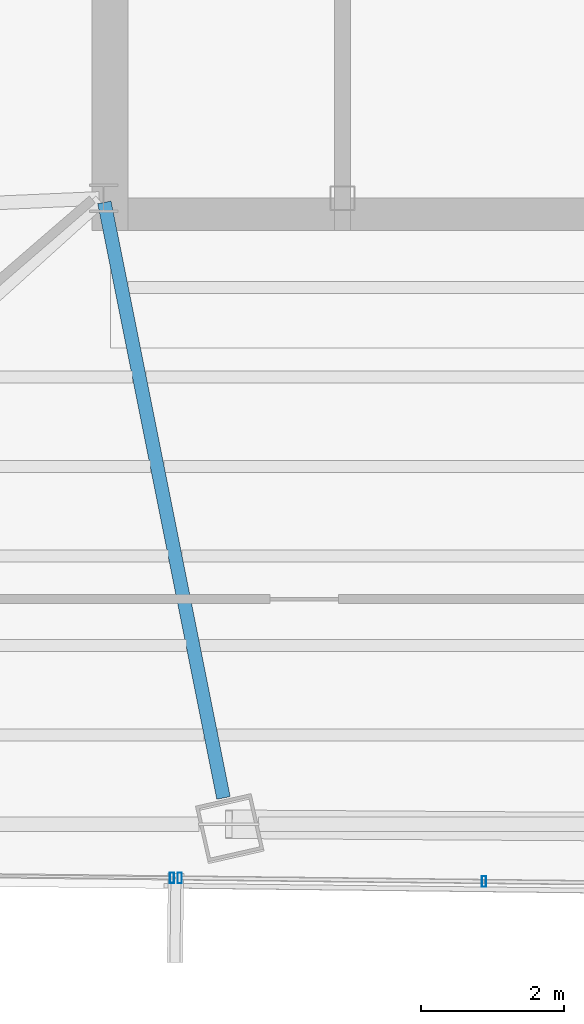
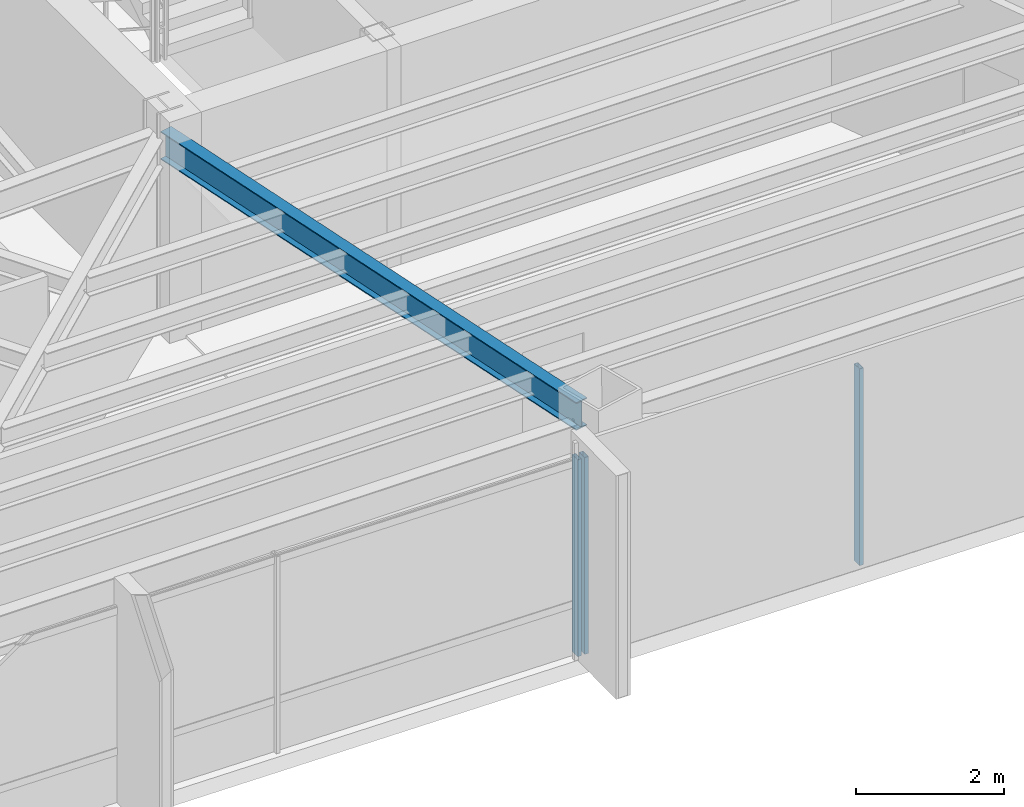
# One storey, part 9 of 40: 3 members, 1 beam, 2 elements without a shape of their own.
"""IFC4 building model written with IfcOpenShell, lengths in metres."""

from ifc_helpers import new_model, si_unit, direction, frame, origin, origin_2d, place, context, subcontext, project, spatial, hollow_rectangle, i_section, extrude, source, transform, mapped, material, material_profile, profile_set, type_object, type_shapes, element, aggregate, save


model = new_model("IFC4")

# Units and contexts
model_context = context("Model", 3, precision=1e-05, world=origin(), true_north=direction((0.0, 1.0)))
body_context = subcontext(model_context, "Body", "Model", "MODEL_VIEW")
ifc_project = project(units=[si_unit("LENGTHUNIT", "METRE"), si_unit("AREAUNIT", "SQUARE_METRE"), si_unit("VOLUMEUNIT", "CUBIC_METRE"), si_unit("PLANEANGLEUNIT", "RADIAN"), si_unit("MASSUNIT", "GRAM", prefix="KILO")], contexts=[model_context])

# Site, building, storey
site_placement = place(None, origin())
site = spatial("IfcSite", under=ifc_project, at=site_placement, CompositionType="ELEMENT")
building_placement = place(site_placement, origin())
building = spatial("IfcBuilding", under=site, at=building_placement, Name="Caelisora Broadcast Tower", CompositionType="ELEMENT")
storey_placement = place(building_placement, frame((0.0, 0.0, 216.89990234375)))
storey = spatial("IfcBuildingStorey", under=building, at=storey_placement, Name="L57", CompositionType="ELEMENT", Elevation=216.89990234375)

# Beam
ifc_material_1 = material(Name="Steel Grade 350 (AS/NZS 3679.1)", Category="steel")
ifc_material_profile_1 = material_profile(ifc_material_1, i_section(OverallWidth=0.19091796875, OverallDepth=0.46044921875, WebThickness=0.010009765625, FlangeThickness=0.01611328125, at=origin_2d()), Name="Steel Grade 350 (AS/NZS 3679.1)")
ifc_profile_set_1 = profile_set([ifc_material_profile_1], Name="Steel Grade 350 (AS/NZS 3679.1)")
beam_type = type_object("IfcBeamType", Name="PG06", PredefinedType="BEAM", material=ifc_profile_set_1)
shared_shape_1 = source(origin(), body_context, "Body", "SweptSolid", [
    extrude(i_section(OverallWidth=0.19091796875, OverallDepth=0.46044921875, WebThickness=0.010009765625, FlangeThickness=0.01611328125, at=origin_2d()), origin(), (0.0, 0.0, 1.0), 8.516357421875),
])
type_shapes(beam_type, [shared_shape_1])
beam_placement = place(storey_placement, frame((30.51171875, 17.34130859375, 3.02001953125), z_axis=(0.196198828503, -0.980564133392, 0.0), x_axis=(0.980564133392, 0.196198828503, 0.0)))
element("IfcBeam", 1, at=beam_placement, inside=storey, type_object=beam_type, Name="L57 beam PG06", PredefinedType="BEAM", context=body_context, shape_type="MappedRepresentation", body=[
    mapped(shared_shape_1, transform((0.0, 0.0, 0.0), scale=1.0)),
])

# Curtain wall, members
ifc_material_2 = material(Name="Unitised Aluminium Insulated Shadow-Box Spandrel Curtain Wall", Category="aluminium")
curtain_wall_type_1 = type_object("IfcCurtainWallType", Name="CW-SP2", PredefinedType="NOTDEFINED", material=ifc_material_2)
curtain_wall_1_placement = place(storey_placement, origin())
curtain_wall_1 = element("IfcCurtainWall", 2, at=curtain_wall_1_placement, inside=storey, type_object=curtain_wall_type_1, Name="L57 curtain wall CW-SP2", PredefinedType="NOTDEFINED")
ifc_material_3 = material(Name="Aluminium 6063-T6 Anodised Terracotta Bronze", Category="aluminium")
ifc_material_profile_2 = material_profile(ifc_material_3, hollow_rectangle(XDim=0.06005859375, YDim=0.14990234375, WallThickness=0.00341796875, at=origin_2d()), Name="Aluminium 6063-T6 Anodised Terracotta Bronze")
ifc_profile_set_2 = profile_set([ifc_material_profile_2], Name="Aluminium 6063-T6 Anodised Terracotta Bronze")
member_type = type_object("IfcMemberType", Name="CWM-03", PredefinedType="MULLION", material=ifc_profile_set_2)
shared_shape_2 = source(origin(), body_context, "Body", "SweptSolid", [
    extrude(hollow_rectangle(XDim=0.06005859375, YDim=0.14990234375, WallThickness=0.00341796875, at=origin_2d()), origin(), (0.0, 0.0, 1.0), 3.25),
])
type_shapes(member_type, [shared_shape_2])
member_1_placement = place(storey_placement, frame((35.834228515625, 7.820068359375, 0.0), z_axis=(0.0, 0.0, 1.0), x_axis=(1.0, 0.0, 0.0)))
member_1 = element("IfcMember", 3, at=member_1_placement, type_object=member_type, Name="L57-CW-B06 mullion #2", PredefinedType="MULLION", context=body_context, shape_type="MappedRepresentation", body=[
    mapped(shared_shape_2, transform((0.0, 0.0, 0.0), scale=1.0)),
])
member_2_placement = place(storey_placement, frame((31.56982421875, 7.869140625, 0.0), z_axis=(0.0, 0.0, 1.0), x_axis=(1.0, 0.0, 0.0)))
member_2 = element("IfcMember", 4, at=member_2_placement, type_object=member_type, Name="L57-CW-B06 mullion #3", PredefinedType="MULLION", context=body_context, shape_type="MappedRepresentation", body=[
    mapped(shared_shape_2, transform((0.0, 0.0, 0.0), scale=1.0)),
])
aggregate(curtain_wall_1, [member_1, member_2])

# Curtain wall, member
ifc_material_4 = material(Name="Unitised Aluminium and Low-E Glass Curtain Wall", Category="glass")
curtain_wall_type_2 = type_object("IfcCurtainWallType", Name="CW-Z4", PredefinedType="NOTDEFINED", material=ifc_material_4)
curtain_wall_2_placement = place(storey_placement, origin())
curtain_wall_2 = element("IfcCurtainWall", 5, at=curtain_wall_2_placement, inside=storey, type_object=curtain_wall_type_2, Name="L57 curtain wall CW-Z4", PredefinedType="NOTDEFINED")
member_3_placement = place(storey_placement, frame((31.459716796875, 7.87060546875, 0.0), z_axis=(0.0, 0.0, 1.0), x_axis=(1.0, 0.0, 0.0)))
member_3 = element("IfcMember", 6, at=member_3_placement, type_object=member_type, Name="L57-CW-B07 mullion #0", PredefinedType="MULLION", context=body_context, shape_type="MappedRepresentation", body=[
    mapped(shared_shape_2, transform((0.0, 0.0, 0.0), scale=1.0)),
])
aggregate(curtain_wall_2, [member_3])

save(model, "model.ifc")
